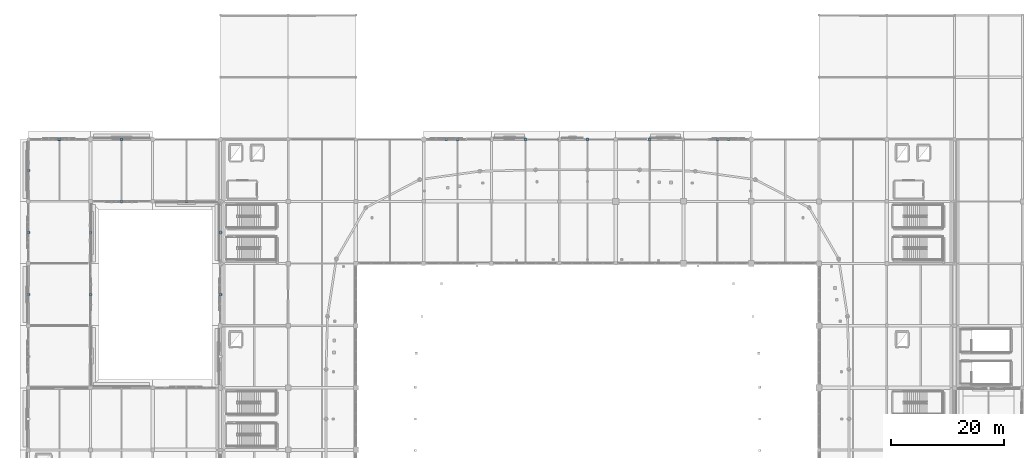
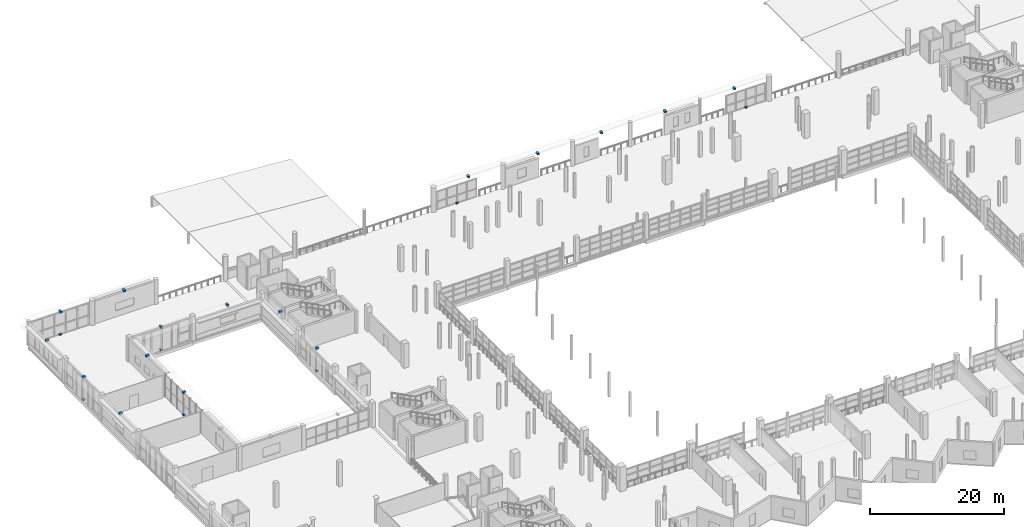
# One storey, part 94 of 118: 23 discrete accessories.
"""IFC4 building model written with IfcOpenShell, lengths in metres."""

import ifcopenshell
import ifcopenshell.guid

model = None  # the IFC model being written
_history = None  # IfcOwnerHistory: only IFC2X3 demands one
_inside = {}  # id of a spatial element -> (the spatial element, [elements in it])
_under = {}  # id of a project, library or spatial element -> (it, [spatial elements below it])
_declared = {}  # id of a project -> (the project, [libraries it declares])
_typed = {}  # id of a type object -> (the type object, [elements of that type])
_made_of = {}  # id of a material, layer set ... -> (it, [elements and type objects made of it])


def new_model(schema):
    """Start an empty IFC model of exactly this schema.

    Asked for "IFC4X3", IfcOpenShell would pick the latest addendum, in which some entities
    have other attributes; the version numbers below select the first issue.
    IFC2X3 requires an IfcOwnerHistory on every rooted entity: one is made here for all.
    """
    global model, _history
    if schema == "IFC4X3":
        model = ifcopenshell.file(schema_version=(4, 3, 0, 0))
    else:
        model = ifcopenshell.file(schema=schema)
    _inside.clear()
    _under.clear()
    _declared.clear()
    _typed.clear()
    _made_of.clear()
    _history = None
    if model.schema == "IFC2X3":
        org = make("IfcOrganization", Name="unknown")
        user = make(
            "IfcPersonAndOrganization",
            ThePerson=make("IfcPerson", FamilyName="unknown"),
            TheOrganization=org,
        )
        app = make(
            "IfcApplication",
            ApplicationDeveloper=org,
            Version="unknown",
            ApplicationFullName="unknown",
            ApplicationIdentifier="unknown",
        )
        _history = make(
            "IfcOwnerHistory",
            OwningUser=user,
            OwningApplication=app,
            ChangeAction="ADDED",
            CreationDate=0,
        )
    return model


def make(cls, **values):
    """One entity of the class cls with the attributes given. An attribute that is None is left unset."""
    return model.create_entity(
        cls, **{name: value for name, value in values.items() if value is not None}
    )


def rooted(cls, **values):
    """An entity with a GlobalId (a new one), such as an element, a storey or a relation."""
    return make(cls, GlobalId=ifcopenshell.guid.new(), OwnerHistory=_history, **values)


def si_unit(unit_type, name, prefix=None):
    """IfcSIUnit, for example si_unit("LENGTHUNIT", "METRE", prefix="MILLI")."""
    return make("IfcSIUnit", UnitType=unit_type, Prefix=prefix, Name=name)


def assignment(units):
    """IfcUnitAssignment: the units of a project."""
    return None if units is None else make("IfcUnitAssignment", Units=units)


def point(xyz):
    """IfcCartesianPoint."""
    return None if xyz is None else make("IfcCartesianPoint", Coordinates=xyz)


def direction(xyz):
    """IfcDirection."""
    return None if xyz is None else make("IfcDirection", DirectionRatios=xyz)


def frame(location, z_axis=None, x_axis=None):
    """IfcAxis2Placement3D, a coordinate frame: its origin and axes. An axis left out is left unset."""
    return make(
        "IfcAxis2Placement3D",
        Location=point(location),
        Axis=direction(z_axis),
        RefDirection=direction(x_axis),
    )


def frame_2d(location, x_axis=None):
    """IfcAxis2Placement2D, a coordinate frame in the plane: its origin and x axis."""
    return make(
        "IfcAxis2Placement2D", Location=point(location), RefDirection=direction(x_axis)
    )


def origin():
    """The frame at (0, 0, 0) with its axes left unset."""
    return frame((0.0, 0.0, 0.0))


def origin_2d():
    """The frame at (0, 0) in the plane with its x axis left unset."""
    return frame_2d((0.0, 0.0))


def place(relative_to, where):
    """IfcLocalPlacement: puts the frame where relative to a parent placement (None: the world)."""
    return make(
        "IfcLocalPlacement", PlacementRelTo=relative_to, RelativePlacement=where
    )


def context(
    kind, dimensions, precision=None, world=None, true_north=None, identifier=None
):
    """IfcGeometricRepresentationContext, for example the 3D "Model" context."""
    return make(
        "IfcGeometricRepresentationContext",
        ContextIdentifier=identifier,
        ContextType=kind,
        CoordinateSpaceDimension=dimensions,
        Precision=precision,
        WorldCoordinateSystem=world,
        TrueNorth=true_north,
    )


def subcontext(parent, identifier, kind, view, scale=None):
    """IfcGeometricRepresentationSubContext, for example "Body" below "Model"."""
    return make(
        "IfcGeometricRepresentationSubContext",
        ContextIdentifier=identifier,
        ContextType=kind,
        ParentContext=parent,
        TargetScale=scale,
        TargetView=view,
    )


def project(units=None, contexts=None):
    """IfcProject with its units and contexts."""
    return rooted(
        "IfcProject",
        Name="project",
        RepresentationContexts=contexts,
        UnitsInContext=assignment(units),
    )


def spatial(cls, under=None, at=None, **own):
    """A site, building, storey or space (cls), placed at a placement, below another one or the project."""
    s = rooted(cls, ObjectPlacement=at, **own)
    if under is not None:
        _under.setdefault(under.id(), (under, []))[1].append(s)
    return s


def profile(cls, at=None, kind="AREA", **sizes):
    """A parametric profile (cls). Its sizes go by their IFC names, for example OverallWidth=200.0."""
    return make(cls, ProfileType=kind, Position=at, **sizes)


def rectangle(**sizes):
    """IfcRectangleProfileDef."""
    return profile("IfcRectangleProfileDef", **sizes)


def extrude(swept, where, along, depth):
    """IfcExtrudedAreaSolid: the profile swept, set in the frame where, extruded along a direction by depth."""
    return make(
        "IfcExtrudedAreaSolid",
        SweptArea=swept,
        Position=where,
        ExtrudedDirection=direction(along),
        Depth=depth,
    )


def shape(context_of_items, identifier, shape_type, items):
    """IfcShapeRepresentation: the items that make up one representation, for example the "Body"."""
    return make(
        "IfcShapeRepresentation",
        ContextOfItems=context_of_items,
        RepresentationIdentifier=identifier,
        RepresentationType=shape_type,
        Items=items,
    )


def material(Name=None, Category=None):
    """IfcMaterial."""
    return make("IfcMaterial", Name=Name, Category=Category)


def layer(
    of_material, thickness, ventilated=None, Name=None, Category=None, Priority=None
):
    """IfcMaterialLayer: one layer of a wall or slab, of a material (None: an air gap)."""
    return make(
        "IfcMaterialLayer",
        Material=of_material,
        LayerThickness=thickness,
        IsVentilated=ventilated,
        Name=Name,
        Category=Category,
        Priority=Priority,
    )


def layer_set(layers, Name=None):
    """IfcMaterialLayerSet."""
    return make("IfcMaterialLayerSet", MaterialLayers=layers, LayerSetName=Name)


def made_of(thing, what):
    """Note that an element or type object is made of a material, layer set ...; save() writes the relation."""
    if what is not None:
        _made_of.setdefault(what.id(), (what, []))[1].append(thing)
    return thing


def type_object(cls, material=None, **own):
    """A type object (cls), such as IfcWallType, which elements share."""
    return made_of(rooted(cls, **own), material)


def element(
    cls,
    number,
    at=None,
    inside=None,
    cuts=None,
    type_object=None,
    material=None,
    context=None,
    identifier="Body",
    shape_type=None,
    held_by="IfcProductDefinitionShape",
    body=None,
    shapes=None,
    **own,
):
    """One element of the class cls, such as IfcWall. Its Tag is "e" and its number.

    at: its placement. inside: the storey or other place that contains it. cuts: it is an
    opening in that element (IfcRelVoidsElement). A single representation is given by context,
    identifier, shape_type and body (its items); several are given by shapes. held_by: the class
    of the entity that holds the representations. save() writes the other relations.
    """
    e = rooted(cls, Tag="e%d" % number, ObjectPlacement=at, **own)
    if body is not None:
        shapes = [shape(context, identifier, shape_type, body)]
    if shapes is not None:
        e.Representation = make(held_by, Representations=shapes)
    if inside is not None:
        _inside.setdefault(inside.id(), (inside, []))[1].append(e)
    if cuts is not None:
        rooted(
            "IfcRelVoidsElement", RelatingBuildingElement=cuts, RelatedOpeningElement=e
        )
    if type_object is not None:
        _typed.setdefault(type_object.id(), (type_object, []))[1].append(e)
    return made_of(e, material)


def aggregate(whole, parts):
    """IfcRelAggregates: a whole, such as a stair, and the parts it consists of."""
    return rooted("IfcRelAggregates", RelatingObject=whole, RelatedObjects=parts)


def save(model, path):
    """Write the relations noted so far, then the file.

    IfcRelAggregates (storeys below a building ...), IfcRelContainedInSpatialStructure (elements
    in a storey), IfcRelDefinesByType, IfcRelAssociatesMaterial and IfcRelDeclares: one each for
    every whole, place, type object, material and project.
    """
    for whole, parts in _under.values():
        aggregate(whole, parts)
    for where, things in _inside.values():
        rooted(
            "IfcRelContainedInSpatialStructure",
            RelatedElements=things,
            RelatingStructure=where,
        )
    for kind, things in _typed.values():
        rooted("IfcRelDefinesByType", RelatedObjects=things, RelatingType=kind)
    for what, things in _made_of.values():
        rooted("IfcRelAssociatesMaterial", RelatedObjects=things, RelatingMaterial=what)
    for by, libraries in _declared.values():
        rooted("IfcRelDeclares", RelatingContext=by, RelatedDefinitions=libraries)
    model.write(path)


model = new_model("IFC4")

# Units and contexts
model_context = context("Model", 3, precision=1e-05, world=origin(), true_north=direction((0.0, 1.0)))
body_context = subcontext(model_context, "Body", "Model", "MODEL_VIEW")
ifc_project = project(units=[si_unit("LENGTHUNIT", "METRE"), si_unit("AREAUNIT", "SQUARE_METRE"), si_unit("VOLUMEUNIT", "CUBIC_METRE"), si_unit("PLANEANGLEUNIT", "RADIAN"), si_unit("MASSUNIT", "GRAM", prefix="KILO")], contexts=[model_context])

# Site, building, storey
site_placement = place(None, origin())
site = spatial("IfcSite", under=ifc_project, at=site_placement, CompositionType="ELEMENT")
building_placement = place(site_placement, origin())
building = spatial("IfcBuilding", under=site, at=building_placement, Name="Luwafu Chhajja Arena", CompositionType="ELEMENT")
storey_placement = place(building_placement, frame((0.0, 0.0, 10.199951171875)))
storey = spatial("IfcBuildingStorey", under=building, at=storey_placement, Name="L02", CompositionType="ELEMENT", Elevation=10.199951171875)

# Discrete accessories
ifc_material = material(Name="Stainless steel bracket", Category="steel")
ifc_layer = layer(ifc_material, 0.179931640625, Name="Stainless steel bracket")
ifc_layer_set = layer_set([ifc_layer], Name="Stainless steel bracket")
discrete_accessory_type = type_object("IfcDiscreteAccessoryType", Name="Stainless Steel Facade Support Bracket", PredefinedType="BRACKET", material=ifc_layer_set)
for number, where, z_axis, x_axis, name in (
    (1, (0.0, 71.5, 4.080078125), (0.0, 0.0, 1.0), (0.0, 1.0, 0.0), "L02 Chhajja Eave Support Bracket 0223"),
    (2, (11.0, 71.5, 4.080078125), (0.0, 0.0, 1.0), (0.0, 1.0, 0.0), "L02 Chhajja Eave Support Bracket 0224"),
):
    element("IfcDiscreteAccessory", number, at=place(storey_placement, frame(where, z_axis=z_axis, x_axis=x_axis)), inside=storey, type_object=discrete_accessory_type, Name=name, PredefinedType="BRACKET", context=body_context, shape_type="SweptSolid", body=[
        extrude(rectangle(XDim=0.360107421875, YDim=0.52001953125, at=origin_2d()), origin(), (0.0, 0.0, 1.0), 0.320068359375),
    ])
discrete_accessory_1_placement = place(storey_placement, frame((11.0, 71.5, -0.009765625), z_axis=(0.0, 0.0, 1.0), x_axis=(0.0, 1.0, 0.0)))
element("IfcDiscreteAccessory", 3, at=discrete_accessory_1_placement, inside=storey, type_object=discrete_accessory_type, Name="Jali Stainless Support Bracket 0225", PredefinedType="BRACKET", context=body_context, shape_type="SweptSolid", body=[
    extrude(rectangle(XDim=0.419921875, YDim=0.419921875, at=origin_2d()), origin(), (0.0, 0.0, 1.0), 0.260009765625),
])
discrete_accessory_2_placement = place(storey_placement, frame((0.0, 82.5, 4.080078125), z_axis=(0.0, 0.0, 1.0), x_axis=(0.0, 1.0, 0.0)))
element("IfcDiscreteAccessory", 4, at=discrete_accessory_2_placement, inside=storey, type_object=discrete_accessory_type, Name="L02 Chhajja Eave Support Bracket 0226", PredefinedType="BRACKET", context=body_context, shape_type="SweptSolid", body=[
    extrude(rectangle(XDim=0.360107421875, YDim=0.52001953125, at=origin_2d()), origin(), (0.0, 0.0, 1.0), 0.320068359375),
])
discrete_accessory_3_placement = place(storey_placement, frame((0.0, 82.5, -0.009765625), z_axis=(0.0, 0.0, 1.0), x_axis=(0.0, 1.0, 0.0)))
element("IfcDiscreteAccessory", 5, at=discrete_accessory_3_placement, inside=storey, type_object=discrete_accessory_type, Name="Jali Stainless Support Bracket 0227", PredefinedType="BRACKET", context=body_context, shape_type="SweptSolid", body=[
    extrude(rectangle(XDim=0.419921875, YDim=0.419921875, at=origin_2d()), origin(), (0.0, 0.0, 1.0), 0.260009765625),
])
for number, where, z_axis, x_axis, name in (
    (6, (11.0, 82.5, 4.080078125), (0.0, 0.0, 1.0), (0.0, 1.0, 0.0), "L02 Chhajja Eave Support Bracket 0228"),
    (7, (5.5, 99.0, 4.080078125), (0.0, 0.0, 1.0), (1.0, 0.0, 0.0), "L02 Chhajja Eave Support Bracket 0229"),
):
    element("IfcDiscreteAccessory", number, at=place(storey_placement, frame(where, z_axis=z_axis, x_axis=x_axis)), inside=storey, type_object=discrete_accessory_type, Name=name, PredefinedType="BRACKET", context=body_context, shape_type="SweptSolid", body=[
        extrude(rectangle(XDim=0.360107421875, YDim=0.52001953125, at=origin_2d()), origin(), (0.0, 0.0, 1.0), 0.320068359375),
    ])
discrete_accessory_4_placement = place(storey_placement, frame((5.41259765625, 99.0, -0.009765625), z_axis=(0.0, 0.0, 1.0), x_axis=(1.0, 0.0, 0.0)))
element("IfcDiscreteAccessory", 8, at=discrete_accessory_4_placement, inside=storey, type_object=discrete_accessory_type, Name="Jali Stainless Support Bracket 0230", PredefinedType="BRACKET", context=body_context, shape_type="SweptSolid", body=[
    extrude(rectangle(XDim=0.419921875, YDim=0.419921875, at=origin_2d()), origin(), (0.0, 0.0, 1.0), 0.260009765625),
])
for number, where, z_axis, x_axis, name in (
    (9, (0.0, 93.5, 4.080078125), (0.0, 0.0, 1.0), (0.0, 1.0, 0.0), "L02 Chhajja Eave Support Bracket 0231"),
    (10, (16.5, 88.0, 4.080078125), (0.0, 0.0, 1.0), (1.0, 0.0, 0.0), "L02 Chhajja Eave Support Bracket 0237"),
):
    element("IfcDiscreteAccessory", number, at=place(storey_placement, frame(where, z_axis=z_axis, x_axis=x_axis)), inside=storey, type_object=discrete_accessory_type, Name=name, PredefinedType="BRACKET", context=body_context, shape_type="SweptSolid", body=[
        extrude(rectangle(XDim=0.360107421875, YDim=0.52001953125, at=origin_2d()), origin(), (0.0, 0.0, 1.0), 0.320068359375),
    ])
discrete_accessory_5_placement = place(storey_placement, frame((16.5, 88.0, -0.009765625), z_axis=(0.0, 0.0, 1.0), x_axis=(1.0, 0.0, 0.0)))
element("IfcDiscreteAccessory", 11, at=discrete_accessory_5_placement, inside=storey, type_object=discrete_accessory_type, Name="Jali Stainless Support Bracket 0238", PredefinedType="BRACKET", context=body_context, shape_type="SweptSolid", body=[
    extrude(rectangle(XDim=0.419921875, YDim=0.419921875, at=origin_2d()), origin(), (0.0, 0.0, 1.0), 0.260009765625),
])
for number, where, z_axis, x_axis, name in (
    (12, (16.5, 99.0, 4.080078125), (0.0, 0.0, 1.0), (1.0, 0.0, 0.0), "L02 Chhajja Eave Support Bracket 0239"),
    (13, (28.0, 88.0, 4.080078125), (0.0, 0.0, 1.0), (1.0, 0.0, 0.0), "L02 Chhajja Eave Support Bracket 0245"),
    (14, (34.0, 71.5, 4.080078125), (0.0, 0.0, 1.0), (0.0, 1.0, 0.0), "L02 Chhajja Eave Support Bracket 0249"),
):
    element("IfcDiscreteAccessory", number, at=place(storey_placement, frame(where, z_axis=z_axis, x_axis=x_axis)), inside=storey, type_object=discrete_accessory_type, Name=name, PredefinedType="BRACKET", context=body_context, shape_type="SweptSolid", body=[
        extrude(rectangle(XDim=0.360107421875, YDim=0.52001953125, at=origin_2d()), origin(), (0.0, 0.0, 1.0), 0.320068359375),
    ])
discrete_accessory_6_placement = place(storey_placement, frame((34.0, 71.5, -0.009765625), z_axis=(0.0, 0.0, 1.0), x_axis=(0.0, 1.0, 0.0)))
element("IfcDiscreteAccessory", 15, at=discrete_accessory_6_placement, inside=storey, type_object=discrete_accessory_type, Name="Jali Stainless Support Bracket 0250", PredefinedType="BRACKET", context=body_context, shape_type="SweptSolid", body=[
    extrude(rectangle(XDim=0.419921875, YDim=0.419921875, at=origin_2d()), origin(), (0.0, 0.0, 1.0), 0.260009765625),
])
for number, where, z_axis, x_axis, name in (
    (16, (34.0, 82.5, 4.080078125), (0.0, 0.0, 1.0), (0.0, 1.0, 0.0), "L02 Chhajja Eave Support Bracket 0251"),
    (17, (76.0, 99.0, 4.080078125), (0.0, 0.0, 1.0), (1.0, 0.0, 0.0), "L02 Chhajja Eave Support Bracket 0255"),
):
    element("IfcDiscreteAccessory", number, at=place(storey_placement, frame(where, z_axis=z_axis, x_axis=x_axis)), inside=storey, type_object=discrete_accessory_type, Name=name, PredefinedType="BRACKET", context=body_context, shape_type="SweptSolid", body=[
        extrude(rectangle(XDim=0.360107421875, YDim=0.52001953125, at=origin_2d()), origin(), (0.0, 0.0, 1.0), 0.320068359375),
    ])
discrete_accessory_7_placement = place(storey_placement, frame((74.023681640625, 99.0, -0.009765625), z_axis=(0.0, 0.0, 1.0), x_axis=(1.0, 0.0, 0.0)))
element("IfcDiscreteAccessory", 18, at=discrete_accessory_7_placement, inside=storey, type_object=discrete_accessory_type, Name="Jali Stainless Support Bracket 0256", PredefinedType="BRACKET", context=body_context, shape_type="SweptSolid", body=[
    extrude(rectangle(XDim=0.419921875, YDim=0.419921875, at=origin_2d()), origin(), (0.0, 0.0, 1.0), 0.260009765625),
])
for number, where, z_axis, x_axis, name in (
    (19, (88.0, 99.0, 4.080078125), (0.0, 0.0, 1.0), (1.0, 0.0, 0.0), "L02 Chhajja Eave Support Bracket 0257"),
    (20, (99.0, 99.0, 4.080078125), (0.0, 0.0, 1.0), (1.0, 0.0, 0.0), "L02 Chhajja Eave Support Bracket 0258"),
    (21, (110.0, 99.0, 4.080078125), (0.0, 0.0, 1.0), (1.0, 0.0, 0.0), "L02 Chhajja Eave Support Bracket 0259"),
    (22, (122.0, 99.0, 4.080078125), (0.0, 0.0, 1.0), (1.0, 0.0, 0.0), "L02 Chhajja Eave Support Bracket 0260"),
):
    element("IfcDiscreteAccessory", number, at=place(storey_placement, frame(where, z_axis=z_axis, x_axis=x_axis)), inside=storey, type_object=discrete_accessory_type, Name=name, PredefinedType="BRACKET", context=body_context, shape_type="SweptSolid", body=[
        extrude(rectangle(XDim=0.360107421875, YDim=0.52001953125, at=origin_2d()), origin(), (0.0, 0.0, 1.0), 0.320068359375),
    ])
discrete_accessory_8_placement = place(storey_placement, frame((123.976318359375, 99.0, -0.009765625), z_axis=(0.0, 0.0, 1.0), x_axis=(1.0, 0.0, 0.0)))
element("IfcDiscreteAccessory", 23, at=discrete_accessory_8_placement, inside=storey, type_object=discrete_accessory_type, Name="Jali Stainless Support Bracket 0261", PredefinedType="BRACKET", context=body_context, shape_type="SweptSolid", body=[
    extrude(rectangle(XDim=0.419921875, YDim=0.419921875, at=origin_2d()), origin(), (0.0, 0.0, 1.0), 0.260009765625),
])

save(model, "model.ifc")
